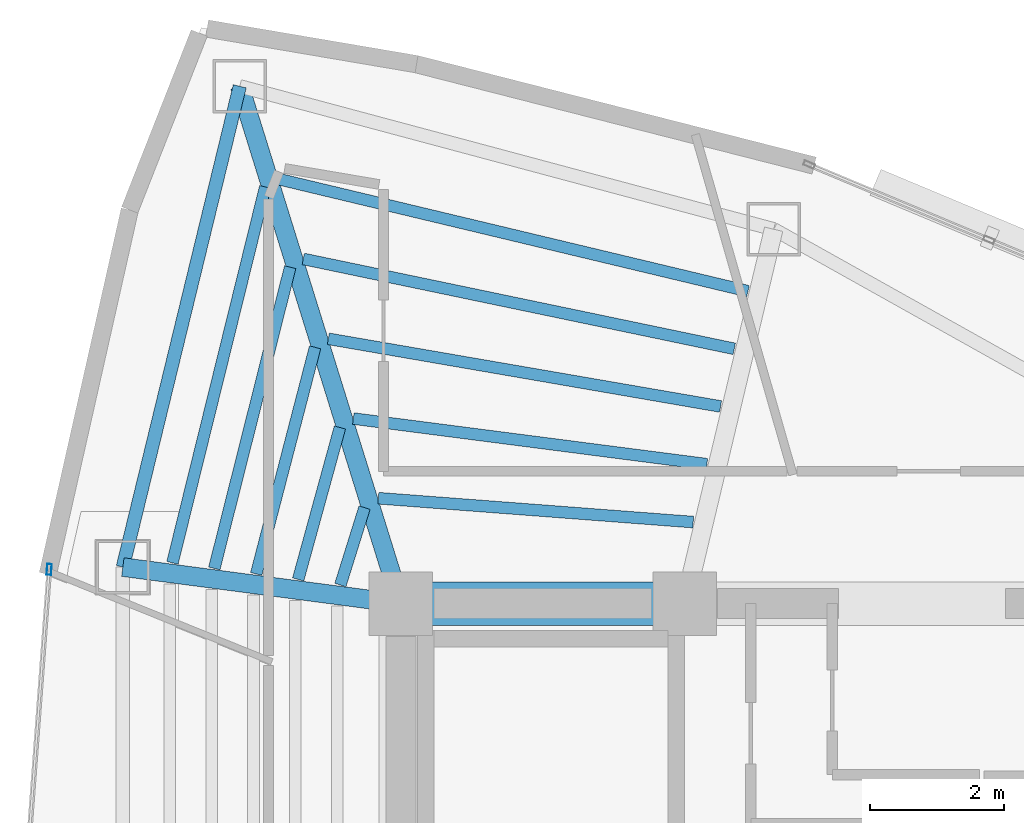
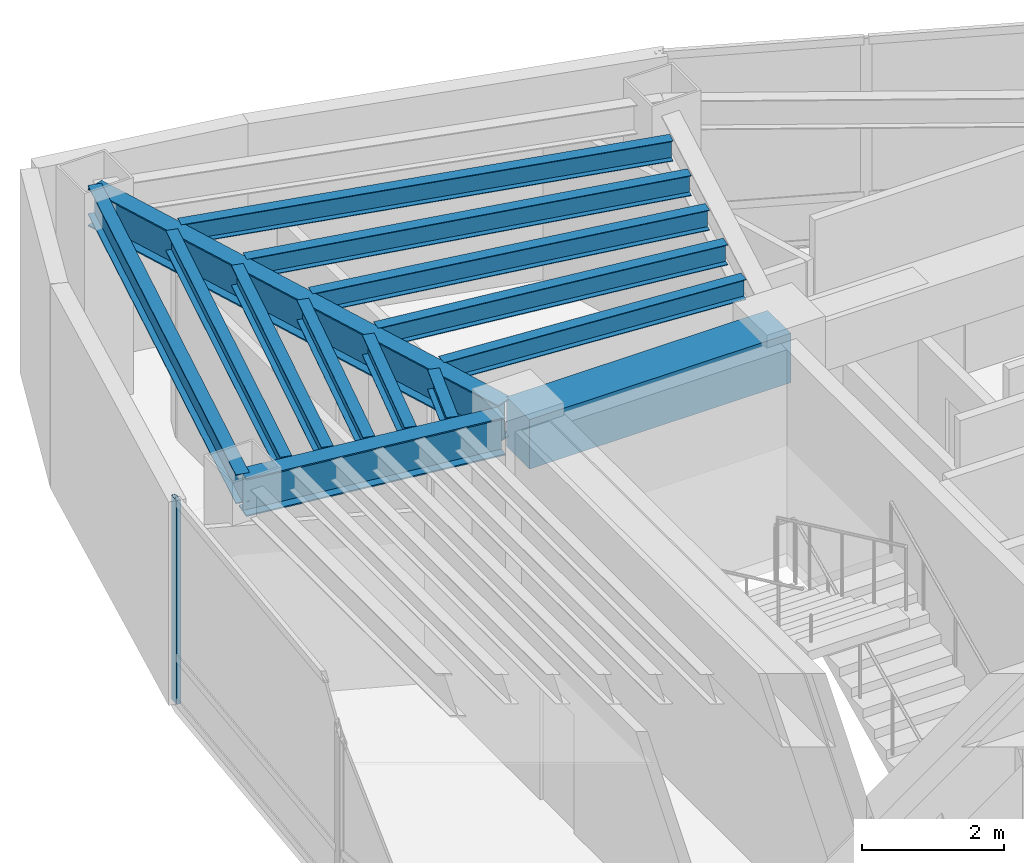
# One storey, part 7 of 15: 14 beams, 1 member, 1 element without a shape of its own.
"""IFC4 building model written with IfcOpenShell, lengths in metres."""

from ifc_helpers import new_model, si_unit, direction, frame, origin, origin_2d, place, context, subcontext, project, spatial, rectangle, hollow_rectangle, i_section, extrude, material, layer, layer_set, material_profile, profile_set, type_object, element, aggregate, save


model = new_model("IFC4")

# Units and contexts
model_context = context("Model", 3, precision=1e-05, world=origin(), true_north=direction((0.0, 1.0)))
body_context = subcontext(model_context, "Body", "Model", "MODEL_VIEW")
ifc_project = project(units=[si_unit("LENGTHUNIT", "METRE"), si_unit("AREAUNIT", "SQUARE_METRE"), si_unit("VOLUMEUNIT", "CUBIC_METRE"), si_unit("PLANEANGLEUNIT", "RADIAN"), si_unit("MASSUNIT", "GRAM", prefix="KILO")], contexts=[model_context])

# Site, building, storey
site_placement = place(None, origin())
site = spatial("IfcSite", under=ifc_project, at=site_placement, CompositionType="ELEMENT")
building_placement = place(site_placement, origin())
building = spatial("IfcBuilding", under=site, at=building_placement, Name="Menara Vayukalpa", CompositionType="ELEMENT")
storey_placement = place(building_placement, frame((0.0, 0.0, 284.340087890625)))
storey = spatial("IfcBuildingStorey", under=building, at=storey_placement, Name="L72", CompositionType="ELEMENT", Elevation=284.340087890625)

# Beams
ifc_material_1 = material(Name="Concrete C60/75", Category="concrete")
ifc_material_profile_1 = material_profile(ifc_material_1, rectangle(XDim=0.64990234375, YDim=0.85009765625, at=origin_2d()), Name="RC 650x850")
ifc_profile_set_1 = profile_set([ifc_material_profile_1], Name="Concrete C60/75")
beam_type_1 = type_object("IfcBeamType", Name="BM-CB1", PredefinedType="BEAM", material=ifc_profile_set_1)
beam_1_placement = place(storey_placement, frame((17.800048828125, 26.800048828125, 3.074951171875), z_axis=(1.0, 0.0, 0.0), x_axis=(0.0, 1.0, 0.0)))
element("IfcBeam", 1, at=beam_1_placement, inside=storey, type_object=beam_type_1, Name="L72 Core Tie Beam CBR4", PredefinedType="BEAM", context=body_context, shape_type="SweptSolid", body=[
    extrude(rectangle(XDim=0.64990234375, YDim=0.85009765625, at=origin_2d()), origin(), (0.0, 0.0, 1.0), 4.25),
])
ifc_material_2 = material(Name="Steel S355", Category="steel")
ifc_material_profile_2 = material_profile(ifc_material_2, i_section(OverallWidth=0.280029296875, OverallDepth=0.64990234375, WebThickness=0.012939453125, FlangeThickness=0.02197265625, at=origin_2d()), Name="WF 650x280x13x22")
ifc_profile_set_2 = profile_set([ifc_material_profile_2], Name="Steel S355")
beam_type_2 = type_object("IfcBeamType", Name="BM-PG6", PredefinedType="BEAM", material=ifc_profile_set_2)
beam_2_placement = place(storey_placement, frame((17.7255859375, 27.038818359375, 3.1748046875), z_axis=(-0.297213792842, 0.954810955815, 0.0), x_axis=(-0.954810955815, -0.297213792842, 0.0)))
element("IfcBeam", 2, at=beam_2_placement, inside=storey, type_object=beam_type_2, Name="L72 Primary Radial Girder RG04", PredefinedType="BEAM", context=body_context, shape_type="SweptSolid", body=[
    extrude(i_section(OverallWidth=0.280029296875, OverallDepth=0.64990234375, WebThickness=0.012939453125, FlangeThickness=0.02197265625, at=origin_2d()), origin(), (0.0, 0.0, 1.0), 7.861083984375),
])
beam_3_placement = place(storey_placement, frame((17.552001953125, 26.83251953125, 3.1748046875), z_axis=(-0.991477860763, 0.130275291662, 0.0), x_axis=(-0.130275291662, -0.991477860763, 0.0)))
element("IfcBeam", 3, at=beam_3_placement, inside=storey, type_object=beam_type_2, Name="L72 Primary Radial Girder RG05", PredefinedType="BEAM", context=body_context, shape_type="SweptSolid", body=[
    extrude(i_section(OverallWidth=0.280029296875, OverallDepth=0.64990234375, WebThickness=0.012939453125, FlangeThickness=0.02197265625, at=origin_2d()), origin(), (0.0, 0.0, 1.0), 3.94677734375),
])
ifc_material_3 = material(Name="Steel S355", Category="steel")
ifc_material_profile_3 = material_profile(ifc_material_3, i_section(OverallWidth=0.175048828125, OverallDepth=0.35009765625, WebThickness=0.007080078125, FlangeThickness=0.010986328125, at=origin_2d()), Name="WF 350x175x7x11")
ifc_profile_set_3 = profile_set([ifc_material_profile_3], Name="Steel S355")
beam_type_3 = type_object("IfcBeamType", Name="BM-SJ3", PredefinedType="JOIST", material=ifc_profile_set_3)
beam_4_placement = place(storey_placement, frame((22.177490234375, 28.0205078125, 3.324951171875), z_axis=(-0.997140447376, 0.075570683512, 0.0), x_axis=(-0.075570683512, -0.997140447376, 0.0)))
element("IfcBeam", 4, at=beam_4_placement, inside=storey, type_object=beam_type_3, Name="L72 Secondary Floor Joist SJ03-1", PredefinedType="JOIST", context=body_context, shape_type="SweptSolid", body=[
    extrude(i_section(OverallWidth=0.175048828125, OverallDepth=0.35009765625, WebThickness=0.007080078125, FlangeThickness=0.010986328125, at=origin_2d()), origin(), (0.0, 0.0, 1.0), 4.726318359375),
])
beam_5_placement = place(storey_placement, frame((22.38232421875, 28.88671875, 3.324951171875), z_axis=(-0.991761375414, 0.128099079766, 0.0), x_axis=(-0.128099079766, -0.991761375414, 0.0)))
element("IfcBeam", 5, at=beam_5_placement, inside=storey, type_object=beam_type_3, Name="L72 Secondary Floor Joist SJ03-2", PredefinedType="JOIST", context=body_context, shape_type="SweptSolid", body=[
    extrude(i_section(OverallWidth=0.175048828125, OverallDepth=0.35009765625, WebThickness=0.007080078125, FlangeThickness=0.010986328125, at=origin_2d()), origin(), (0.0, 0.0, 1.0), 5.33642578125),
])
beam_6_placement = place(storey_placement, frame((22.587158203125, 29.751220703125, 3.324951171875), z_axis=(-0.985438818134, 0.170030396443, 0.0), x_axis=(-0.170030396443, -0.985438818134, 0.0)))
element("IfcBeam", 6, at=beam_6_placement, inside=storey, type_object=beam_type_3, Name="L72 Secondary Floor Joist SJ03-3", PredefinedType="JOIST", context=body_context, shape_type="SweptSolid", body=[
    extrude(i_section(OverallWidth=0.175048828125, OverallDepth=0.35009765625, WebThickness=0.007080078125, FlangeThickness=0.010986328125, at=origin_2d()), origin(), (0.0, 0.0, 1.0), 5.958740234375),
])
beam_7_placement = place(storey_placement, frame((22.7919921875, 30.614501953125, 3.324951171875), z_axis=(-0.978940645958, 0.204145075108, 0.0), x_axis=(-0.204145075108, -0.978940645958, 0.0)))
element("IfcBeam", 7, at=beam_7_placement, inside=storey, type_object=beam_type_3, Name="L72 Secondary Floor Joist SJ03-4", PredefinedType="JOIST", context=body_context, shape_type="SweptSolid", body=[
    extrude(i_section(OverallWidth=0.175048828125, OverallDepth=0.35009765625, WebThickness=0.007080078125, FlangeThickness=0.010986328125, at=origin_2d()), origin(), (0.0, 0.0, 1.0), 6.5908203125),
])
beam_8_placement = place(storey_placement, frame((22.996826171875, 31.476806640625, 3.324951171875), z_axis=(-0.972633830791, 0.232343347656, 0.0), x_axis=(-0.232343347656, -0.972633830791, 0.0)))
element("IfcBeam", 8, at=beam_8_placement, inside=storey, type_object=beam_type_3, Name="L72 Secondary Floor Joist SJ03-5", PredefinedType="JOIST", context=body_context, shape_type="SweptSolid", body=[
    extrude(i_section(OverallWidth=0.175048828125, OverallDepth=0.35009765625, WebThickness=0.007080078125, FlangeThickness=0.010986328125, at=origin_2d()), origin(), (0.0, 0.0, 1.0), 7.229248046875),
])
beam_9_placement = place(storey_placement, frame((17.25732421875, 28.237060546875, 3.324951171875), z_axis=(-0.297954442868, -0.954580090917, 0.0), x_axis=(0.954580090917, -0.297954442868, 0.0)))
element("IfcBeam", 9, at=beam_9_placement, inside=storey, type_object=beam_type_3, Name="L72 Secondary Floor Joist SJ04-1", PredefinedType="JOIST", context=body_context, shape_type="SweptSolid", body=[
    extrude(i_section(OverallWidth=0.175048828125, OverallDepth=0.35009765625, WebThickness=0.007080078125, FlangeThickness=0.010986328125, at=origin_2d()), origin(), (0.0, 0.0, 1.0), 1.21435546875),
])
beam_10_placement = place(storey_placement, frame((16.888916015625, 29.436279296875, 3.324951171875), z_axis=(-0.264947201585, -0.96426292077, 0.0), x_axis=(0.96426292077, -0.264947201585, 0.0)))
element("IfcBeam", 10, at=beam_10_placement, inside=storey, type_object=beam_type_3, Name="L72 Secondary Floor Joist SJ04-2", PredefinedType="JOIST", context=body_context, shape_type="SweptSolid", body=[
    extrude(i_section(OverallWidth=0.175048828125, OverallDepth=0.35009765625, WebThickness=0.007080078125, FlangeThickness=0.010986328125, at=origin_2d()), origin(), (0.0, 0.0, 1.0), 2.35888671875),
])
beam_11_placement = place(storey_placement, frame((16.51708984375, 30.63671875, 3.324951171875), z_axis=(-0.251457685321, -0.967868292947, 0.0), x_axis=(0.967868292947, -0.251457685321, 0.0)))
element("IfcBeam", 11, at=beam_11_placement, inside=storey, type_object=beam_type_3, Name="L72 Secondary Floor Joist SJ04-3", PredefinedType="JOIST", context=body_context, shape_type="SweptSolid", body=[
    extrude(i_section(OverallWidth=0.175048828125, OverallDepth=0.35009765625, WebThickness=0.007080078125, FlangeThickness=0.010986328125, at=origin_2d()), origin(), (0.0, 0.0, 1.0), 3.5048828125),
])
beam_12_placement = place(storey_placement, frame((16.14453125, 31.83740234375, 3.324951171875), z_axis=(-0.244239657645, -0.969714901212, 0.0), x_axis=(0.969714901212, -0.244239657645, 0.0)))
element("IfcBeam", 12, at=beam_12_placement, inside=storey, type_object=beam_type_3, Name="L72 Secondary Floor Joist SJ04-4", PredefinedType="JOIST", context=body_context, shape_type="SweptSolid", body=[
    extrude(i_section(OverallWidth=0.175048828125, OverallDepth=0.35009765625, WebThickness=0.007080078125, FlangeThickness=0.010986328125, at=origin_2d()), origin(), (0.0, 0.0, 1.0), 4.651123046875),
])
beam_13_placement = place(storey_placement, frame((15.771240234375, 33.0380859375, 3.324951171875), z_axis=(-0.239690910211, -0.970849250688, 0.0), x_axis=(0.970849250688, -0.239690910211, 0.0)))
element("IfcBeam", 13, at=beam_13_placement, inside=storey, type_object=beam_type_3, Name="L72 Secondary Floor Joist SJ04-5", PredefinedType="JOIST", context=body_context, shape_type="SweptSolid", body=[
    extrude(i_section(OverallWidth=0.175048828125, OverallDepth=0.35009765625, WebThickness=0.007080078125, FlangeThickness=0.010986328125, at=origin_2d()), origin(), (0.0, 0.0, 1.0), 5.797607421875),
])
ifc_material_4 = material(Name="Steel S355", Category="steel")
ifc_material_profile_4 = material_profile(ifc_material_4, i_section(OverallWidth=0.199951171875, OverallDepth=0.5, WebThickness=0.010009765625, FlangeThickness=0.01611328125, at=origin_2d()), Name="WF 500x200x10x16")
ifc_profile_set_4 = profile_set([ifc_material_profile_4], Name="Steel S355")
beam_type_4 = type_object("IfcBeamType", Name="BM-SP3", PredefinedType="SPANDREL", material=ifc_profile_set_4)
beam_14_placement = place(storey_placement, frame((15.38916015625, 34.544677734375, 3.25), z_axis=(-0.236272525754, -0.97168682896, 0.0), x_axis=(0.97168682896, -0.236272525754, 0.0)))
element("IfcBeam", 14, at=beam_14_placement, inside=storey, type_object=beam_type_4, Name="L72 Perimeter Spandrel Beam SP04", PredefinedType="SPANDREL", context=body_context, shape_type="SweptSolid", body=[
    extrude(i_section(OverallWidth=0.199951171875, OverallDepth=0.5, WebThickness=0.010009765625, FlangeThickness=0.01611328125, at=origin_2d()), origin(), (0.0, 0.0, 1.0), 7.40771484375),
])

# Curtain wall, member
ifc_material_5 = material(Name="Anodised Terracotta Aluminium Alloy 6063-T6", Category="masonry")
ifc_layer = layer(ifc_material_5, 0.1650390625)
ifc_layer_set = layer_set([ifc_layer], Name="Anodised Terracotta Aluminium Alloy 6063-T6")
curtain_wall_type = type_object("IfcCurtainWallType", Name="CW-CW6", PredefinedType="USERDEFINED", material=ifc_layer_set)
curtain_wall_placement = place(storey_placement, origin())
curtain_wall = element("IfcCurtainWall", 15, at=curtain_wall_placement, inside=storey, type_object=curtain_wall_type, Name="L72 Observation and Executive Curtain Wall CW6 10", ObjectType="UNITISED", PredefinedType="USERDEFINED")
ifc_material_6 = material(Name="Anodised Terracotta Aluminium Alloy 6063-T6", Category="masonry")
ifc_material_profile_5 = material_profile(ifc_material_6, hollow_rectangle(XDim=0.070068359375, YDim=0.1650390625, WallThickness=0.00390625, at=origin_2d()), Name="ALU 70x165x4")
ifc_profile_set_5 = profile_set([ifc_material_profile_5], Name="Anodised Terracotta Aluminium Alloy 6063-T6")
member_type = type_object("IfcMemberType", Name="CWM-CW6", PredefinedType="MULLION", material=ifc_profile_set_5)
member_placement = place(storey_placement, frame((12.536376953125, 27.311767578125, 0.0), z_axis=(0.0, 0.0, 1.0), x_axis=(0.997199344663, -0.074789484574, 0.0)))
member = element("IfcMember", 16, at=member_placement, type_object=member_type, Name="CW6 mullion 1", PredefinedType="MULLION", context=body_context, shape_type="SweptSolid", body=[
    extrude(hollow_rectangle(XDim=0.070068359375, YDim=0.1650390625, WallThickness=0.00390625, at=origin_2d()), origin(), (0.0, 0.0, 1.0), 3.5),
])
aggregate(curtain_wall, [member])

save(model, "model.ifc")
